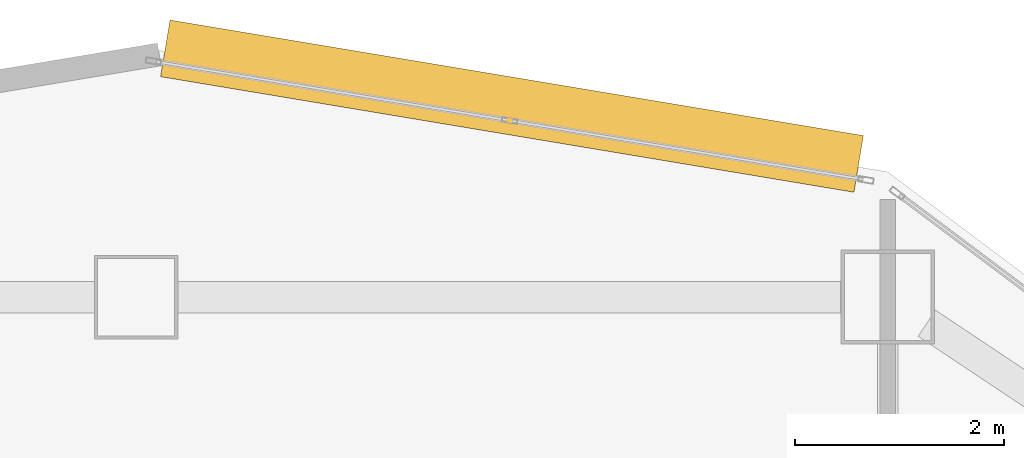
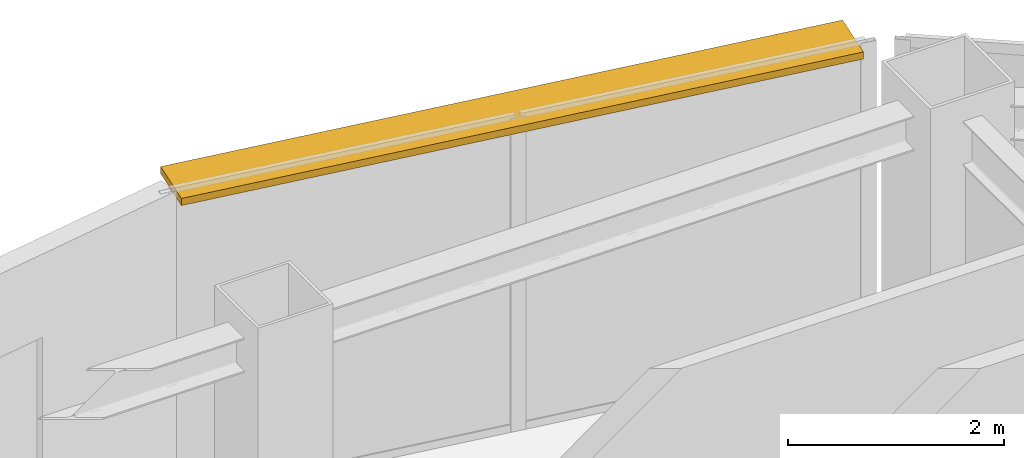
# One storey, part 12 of 12: 1 shading device.
"""IFC4 building model written with IfcOpenShell, lengths in metres."""

from ifc_helpers import new_model, si_unit, direction, frame, origin, origin_2d, place, context, subcontext, project, spatial, rectangle, extrude, material, layer, layer_set, type_object, element, save


model = new_model("IFC4")

# Units and contexts
model_context = context("Model", 3, precision=1e-05, world=origin(), true_north=direction((0.0, 1.0)))
body_context = subcontext(model_context, "Body", "Model", "MODEL_VIEW")
ifc_project = project(units=[si_unit("LENGTHUNIT", "METRE"), si_unit("AREAUNIT", "SQUARE_METRE"), si_unit("VOLUMEUNIT", "CUBIC_METRE"), si_unit("PLANEANGLEUNIT", "RADIAN"), si_unit("MASSUNIT", "GRAM", prefix="KILO")], contexts=[model_context])

# Site, building, storey
site_placement = place(None, origin())
site = spatial("IfcSite", under=ifc_project, at=site_placement, CompositionType="ELEMENT")
building_placement = place(site_placement, origin())
building = spatial("IfcBuilding", under=site, at=building_placement, Name="Haolan Belvedere Tower", CompositionType="ELEMENT")
storey_placement = place(building_placement, frame((0.0, 0.0, 203.199951171875)))
storey = spatial("IfcBuildingStorey", under=building, at=storey_placement, Name="L51", CompositionType="ELEMENT", Elevation=203.199951171875)

# Shading device
ifc_material = material(Name="Anodised champagne-silver aluminium 6063-T6", Category="aluminium")
ifc_layer = layer(ifc_material, 0.080078125, Name="Anodised champagne-silver aluminium 6063-T6")
ifc_layer_set = layer_set([ifc_layer], Name="Anodised champagne-silver aluminium 6063-T6")
shading_device_type = type_object("IfcShadingDeviceType", Name="SHD-SUN-550", PredefinedType="USERDEFINED", material=ifc_layer_set)
shading_device_placement = place(storey_placement, frame((42.000732421875, 52.230224609375, 3.43994140625), z_axis=(0.0, 0.0, 1.0), x_axis=(-0.986391978972, 0.16441065604, 0.0)))
element("IfcShadingDevice", 1, at=shading_device_placement, inside=storey, type_object=shading_device_type, Name="L51 pale-metal horizontal SUNSHADE band 21.1", ObjectType="SUNSHADE", PredefinedType="USERDEFINED", context=body_context, shape_type="SweptSolid", body=[
    extrude(rectangle(XDim=6.734130859375, YDim=0.550048828125, at=origin_2d()), origin(), (0.0, 0.0, 1.0), 0.080078125),
])

save(model, "model.ifc")
